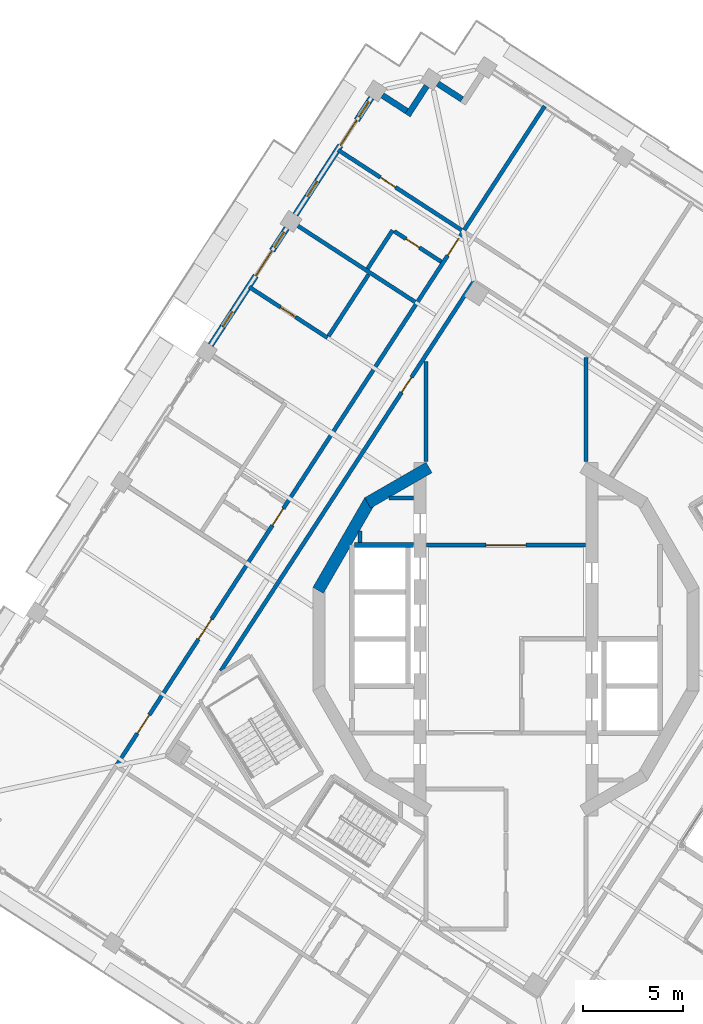
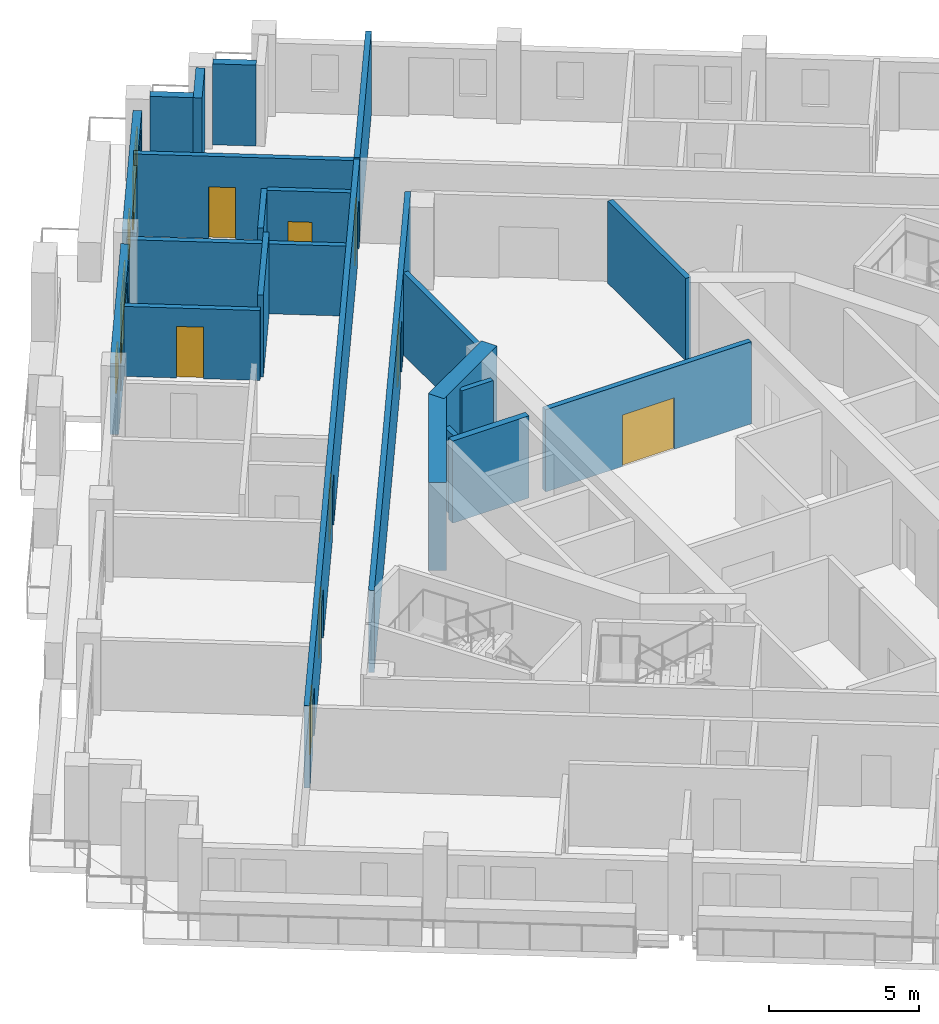
# One storey, part 9 of 17: 22 walls, 11 doors, 4 windows, 15 openings.
"""IFC4 building model written with IfcOpenShell, lengths in metres."""

from ifc_helpers import new_model, si_unit, direction, frame, frame_2d, origin, place, context, subcontext, project, spatial, rectangle, extrude, material, layer, layer_set, type_object, element, fill, save


model = new_model("IFC4")

# Units and contexts
model_context = context("Model", 3, precision=1e-05, world=origin(), true_north=direction((0.0, 1.0)))
body_context = subcontext(model_context, "Body", "Model", "MODEL_VIEW")
ifc_project = project(units=[si_unit("LENGTHUNIT", "METRE"), si_unit("AREAUNIT", "SQUARE_METRE"), si_unit("VOLUMEUNIT", "CUBIC_METRE"), si_unit("PLANEANGLEUNIT", "RADIAN"), si_unit("MASSUNIT", "GRAM", prefix="KILO")], contexts=[model_context])

# Site, building, storey
site_placement = place(None, origin())
site = spatial("IfcSite", under=ifc_project, at=site_placement, CompositionType="ELEMENT")
building_placement = place(site_placement, origin())
building = spatial("IfcBuilding", under=site, at=building_placement, Name="Cantera Rosa Tower", CompositionType="ELEMENT")
storey_placement = place(building_placement, frame((0.0, 0.0, 264.89990234375)))
storey = spatial("IfcBuildingStorey", under=building, at=storey_placement, Name="L59", CompositionType="ELEMENT", Elevation=264.89990234375)

# Wall
ifc_material_1 = material(Name="Gypsum board partition")
ifc_layer_1 = layer(ifc_material_1, 0.199951171875)
ifc_layer_set_1 = layer_set([ifc_layer_1], Name="CORRIDOR WALL 200 H3350")
wall_type_1 = type_object("IfcWallType", Name="CORRIDOR WALL 200 H3350", PredefinedType="PARTITIONING", material=ifc_layer_set_1)
wall_1_placement = place(storey_placement, frame((-4.0, 13.90087890625, 0.0), z_axis=(0.0, 0.0, 1.0), x_axis=(0.0, -1.0, 0.0)))
element("IfcWall", 1, at=wall_1_placement, inside=storey, type_object=wall_type_1, Name="CORRIDOR WALL L59-047", PredefinedType="PARTITIONING", context=body_context, shape_type="SweptSolid", body=[
    extrude(rectangle(XDim=5.02197265625, YDim=0.199951171875, at=frame_2d((2.510986328125, 0.0))), origin(), (0.0, 0.0, 1.0), 3.35009765625),
])

# Wall, opening, door
wall_2_placement = place(storey_placement, frame((-3.969970703125, 4.699951171875, 0.0), z_axis=(0.0, 0.0, 1.0), x_axis=(1.0, 0.0, 0.0)))
wall_2 = element("IfcWall", 2, at=wall_2_placement, inside=storey, type_object=wall_type_1, Name="CORRIDOR WALL L59-048", PredefinedType="PARTITIONING", context=body_context, shape_type="SweptSolid", body=[
    extrude(rectangle(XDim=7.93994140625, YDim=0.199951171875, at=frame_2d((3.969970703125, 0.0))), origin(), (0.0, 0.0, 1.0), 3.35009765625),
])
opening_1_placement = place(wall_2_placement, frame((2.969970703125, 0.0, 0.0)))
opening_1 = element("IfcOpeningElement", 3, at=opening_1_placement, cuts=wall_2, Name="Opening L59-009", PredefinedType="OPENING", context=body_context, shape_type="SweptSolid", body=[
    extrude(rectangle(XDim=2.0, YDim=2.10009765625, at=frame_2d((1.0, 1.050048828125))), frame((0.0, 0.10986328125, 0.0), z_axis=(0.0, -1.0, 0.0), x_axis=(1.0, 0.0, 0.0)), (0.0, 0.0, 1.0), 0.219970703125),
])
ifc_material_2 = material(Name="Steel S355J2 (EN 10025-2)", Category="steel")
door_type_1 = type_object("IfcDoorType", Name="LOBBY SCREEN DOOR 2000x2100", OperationType="NOTDEFINED", PredefinedType="DOOR", material=ifc_material_2)
door_1_placement = place(opening_1_placement, origin())
door_1 = element("IfcDoor", 4, at=door_1_placement, inside=storey, type_object=door_type_1, Name="DOOR L59-009", OperationType="NOTDEFINED", OverallHeight=2.10009765625, OverallWidth=2.0, PredefinedType="DOOR", context=body_context, shape_type="SweptSolid", body=[
    extrude(rectangle(XDim=2.0, YDim=2.10009765625, at=frame_2d((1.0, 1.050048828125))), frame((0.0, 0.02490234375, 0.0), z_axis=(0.0, -1.0, 0.0), x_axis=(1.0, 0.0, 0.0)), (0.0, 0.0, 1.0), 0.050048828125),
])
fill(opening_1, door_1)

# Wall, openings, doors
wall_3_placement = place(storey_placement, frame((-2.1318359375, 20.402587890625, 0.0), z_axis=(0.0, 0.0, 1.0), x_axis=(-0.544643219415, -0.838667850549, 0.0)))
wall_3 = element("IfcWall", 5, at=wall_3_placement, inside=storey, type_object=wall_type_1, Name="CORRIDOR WALL L59-050", PredefinedType="PARTITIONING", context=body_context, shape_type="SweptSolid", body=[
    extrude(rectangle(XDim=31.880126953125, YDim=0.199951171875, at=frame_2d((15.93994140625, 0.0))), origin(), (0.0, 0.0, 1.0), 3.35009765625),
])
opening_2_placement = place(wall_3_placement, frame((16.5400390625, 0.0, 0.0)))
opening_2 = element("IfcOpeningElement", 6, at=opening_2_placement, cuts=wall_3, Name="Opening L59-025", PredefinedType="OPENING", context=body_context, shape_type="SweptSolid", body=[
    extrude(rectangle(XDim=1.0, YDim=2.10009765625, at=frame_2d((0.5, 1.050048828125))), frame((0.0, 0.10986328125, 0.0), z_axis=(0.0, -1.0, 0.0), x_axis=(1.0, 0.0, 0.0)), (0.0, 0.0, 1.0), 0.219970703125),
])
opening_3_placement = place(wall_3_placement, frame((23.1298828125, 0.0, 0.0)))
opening_3 = element("IfcOpeningElement", 7, at=opening_3_placement, cuts=wall_3, Name="Opening L59-031", PredefinedType="OPENING", context=body_context, shape_type="SweptSolid", body=[
    extrude(rectangle(XDim=1.199951171875, YDim=2.10009765625, at=frame_2d((0.60009765625, 1.050048828125))), frame((0.0, 0.10986328125, 0.0), z_axis=(0.0, -1.0, 0.0), x_axis=(1.0, 0.0, 0.0)), (0.0, 0.0, 1.0), 0.219970703125),
])
opening_4_placement = place(wall_3_placement, frame((0.43994140625, 0.0, 0.0)))
opening_4 = element("IfcOpeningElement", 8, at=opening_4_placement, cuts=wall_3, Name="Opening L59-032", PredefinedType="OPENING", context=body_context, shape_type="SweptSolid", body=[
    extrude(rectangle(XDim=1.0, YDim=2.10009765625, at=frame_2d((0.5, 1.050048828125))), frame((0.0, 0.10986328125, 0.0), z_axis=(0.0, -1.0, 0.0), x_axis=(1.0, 0.0, 0.0)), (0.0, 0.0, 1.0), 0.219970703125),
])
opening_5_placement = place(wall_3_placement, frame((28.85009765625, 0.0, 0.0)))
opening_5 = element("IfcOpeningElement", 9, at=opening_5_placement, cuts=wall_3, Name="Opening L59-035", PredefinedType="OPENING", context=body_context, shape_type="SweptSolid", body=[
    extrude(rectangle(XDim=1.10009765625, YDim=2.10009765625, at=frame_2d((0.550048828125, 1.050048828125))), frame((0.0, 0.10986328125, 0.0), z_axis=(0.0, -1.0, 0.0), x_axis=(1.0, 0.0, 0.0)), (0.0, 0.0, 1.0), 0.219970703125),
])
ifc_material_3 = material(Name="Timber door leaf", Category="wood")
door_type_2 = type_object("IfcDoorType", Name="ENTRANCE DOOR 1000x2100", OperationType="NOTDEFINED", PredefinedType="DOOR", material=ifc_material_3)
door_2_placement = place(opening_2_placement, origin())
door_2 = element("IfcDoor", 10, at=door_2_placement, inside=storey, type_object=door_type_2, Name="DOOR L59-025", OperationType="NOTDEFINED", OverallHeight=2.10009765625, OverallWidth=1.0, PredefinedType="DOOR", context=body_context, shape_type="SweptSolid", body=[
    extrude(rectangle(XDim=1.0, YDim=2.10009765625, at=frame_2d((0.5, 1.050048828125))), frame((0.0, 0.02490234375, 0.0), z_axis=(0.0, -1.0, 0.0), x_axis=(1.0, 0.0, 0.0)), (0.0, 0.0, 1.0), 0.050048828125),
])
fill(opening_2, door_2)
door_3_placement = place(opening_4_placement, origin())
door_3 = element("IfcDoor", 11, at=door_3_placement, inside=storey, type_object=door_type_2, Name="DOOR L59-032", OperationType="NOTDEFINED", OverallHeight=2.10009765625, OverallWidth=1.0, PredefinedType="DOOR", context=body_context, shape_type="SweptSolid", body=[
    extrude(rectangle(XDim=1.0, YDim=2.10009765625, at=frame_2d((0.5, 1.050048828125))), frame((0.0, 0.02490234375, 0.0), z_axis=(0.0, -1.0, 0.0), x_axis=(1.0, 0.0, 0.0)), (0.0, 0.0, 1.0), 0.050048828125),
])
fill(opening_4, door_3)
ifc_material_4 = material(Name="Timber door leaf", Category="wood")
door_type_3 = type_object("IfcDoorType", Name="ROOM DOOR 1100x2100", OperationType="NOTDEFINED", PredefinedType="DOOR", material=ifc_material_4)
door_4_placement = place(opening_5_placement, origin())
door_4 = element("IfcDoor", 12, at=door_4_placement, inside=storey, type_object=door_type_3, Name="DOOR L59-035", OperationType="NOTDEFINED", OverallHeight=2.10009765625, OverallWidth=1.10009765625, PredefinedType="DOOR", context=body_context, shape_type="SweptSolid", body=[
    extrude(rectangle(XDim=1.10009765625, YDim=2.10009765625, at=frame_2d((0.550048828125, 1.050048828125))), frame((0.0, 0.02490234375, 0.0), z_axis=(0.0, -1.0, 0.0), x_axis=(1.0, 0.0, 0.0)), (0.0, 0.0, 1.0), 0.050048828125),
])
fill(opening_5, door_4)
ifc_material_5 = material(Name="Timber door leaf", Category="wood")
door_type_4 = type_object("IfcDoorType", Name="ROOM DOOR 1200x2100", OperationType="NOTDEFINED", PredefinedType="DOOR", material=ifc_material_5)
door_5_placement = place(opening_3_placement, origin())
door_5 = element("IfcDoor", 13, at=door_5_placement, inside=storey, type_object=door_type_4, Name="DOOR L59-031", OperationType="NOTDEFINED", OverallHeight=2.10009765625, OverallWidth=1.199951171875, PredefinedType="DOOR", context=body_context, shape_type="SweptSolid", body=[
    extrude(rectangle(XDim=1.199951171875, YDim=2.10009765625, at=frame_2d((0.60009765625, 1.050048828125))), frame((0.0, 0.02490234375, 0.0), z_axis=(0.0, -1.0, 0.0), x_axis=(1.0, 0.0, 0.0)), (0.0, 0.0, 1.0), 0.050048828125),
])
fill(opening_3, door_5)

# Wall, opening, door
wall_4_placement = place(storey_placement, frame((-1.6025390625, 17.91259765625, 0.0), z_axis=(0.0, 0.0, 1.0), x_axis=(-0.544642173362, -0.838668529871, 0.0)))
wall_4 = element("IfcWall", 14, at=wall_4_placement, inside=storey, type_object=wall_type_1, Name="CORRIDOR WALL L59-055", PredefinedType="PARTITIONING", context=body_context, shape_type="SweptSolid", body=[
    extrude(rectangle(XDim=23.255126953125, YDim=0.199951171875, at=frame_2d((11.62744140625, 0.0))), origin(), (0.0, 0.0, 1.0), 3.35009765625),
])
opening_6_placement = place(wall_4_placement, frame((5.744140625, 0.0, 0.0)))
opening_6 = element("IfcOpeningElement", 15, at=opening_6_placement, cuts=wall_4, Name="Opening L59-005", PredefinedType="OPENING", context=body_context, shape_type="SweptSolid", body=[
    extrude(rectangle(XDim=0.89990234375, YDim=2.10009765625, at=frame_2d((0.449951171875, 1.050048828125))), frame((0.0, 0.10986328125, 0.0), z_axis=(0.0, -1.0, 0.0), x_axis=(1.0, 0.0, 0.0)), (0.0, 0.0, 1.0), 0.219970703125),
])
ifc_material_6 = material(Name="Timber door leaf", Category="wood")
door_type_5 = type_object("IfcDoorType", Name="SERVICE DOOR 900x2100", OperationType="NOTDEFINED", PredefinedType="DOOR", material=ifc_material_6)
door_6_placement = place(opening_6_placement, origin())
door_6 = element("IfcDoor", 16, at=door_6_placement, inside=storey, type_object=door_type_5, Name="DOOR L59-005", OperationType="NOTDEFINED", OverallHeight=2.10009765625, OverallWidth=0.89990234375, PredefinedType="DOOR", context=body_context, shape_type="SweptSolid", body=[
    extrude(rectangle(XDim=0.89990234375, YDim=2.10009765625, at=frame_2d((0.449951171875, 1.050048828125))), frame((0.0, 0.02490234375, 0.0), z_axis=(0.0, -1.0, 0.0), x_axis=(1.0, 0.0, 0.0)), (0.0, 0.0, 1.0), 0.050048828125),
])
fill(opening_6, door_6)

# Walls
wall_5_placement = place(storey_placement, frame((4.0, 8.87890625, 0.0), z_axis=(0.0, 0.0, 1.0), x_axis=(0.0, 1.0, 0.0)))
element("IfcWall", 17, at=wall_5_placement, inside=storey, type_object=wall_type_1, Name="CORRIDOR WALL L59-070", PredefinedType="PARTITIONING", context=body_context, shape_type="SweptSolid", body=[
    extrude(rectangle(XDim=5.21533203125, YDim=0.199951171875, at=frame_2d((2.607666015625, 0.0))), origin(), (0.0, 0.0, 1.0), 3.35009765625),
])
ifc_material_7 = material(Name="Hollow clay masonry with cantera stone cladding", Category="masonry")
ifc_layer_2 = layer(ifc_material_7, 0.300048828125)
ifc_layer_set_2 = layer_set([ifc_layer_2], Name="EW-LOGGIA 300")
wall_type_2 = type_object("IfcWallType", Name="EW-LOGGIA 300", PredefinedType="SOLIDWALL", material=ifc_layer_set_2)
wall_6_placement = place(storey_placement, frame((-2.197509765625, 27.003173828125, 0.0), z_axis=(0.0, 0.0, 1.0), x_axis=(-0.838647435384, 0.54467465438, 0.0)))
element("IfcWall", 18, at=wall_6_placement, inside=storey, type_object=wall_type_2, Name="EN-L59-W05b", PredefinedType="SOLIDWALL", context=body_context, shape_type="SweptSolid", body=[
    extrude(rectangle(XDim=1.449951171875, YDim=0.300048828125, at=frame_2d((0.72509765625, 0.0))), origin(), (0.0, 0.0, 1.0), 3.300048828125),
])
wall_7_placement = place(storey_placement, frame((-3.966796875, 27.67529296875, 0.0), z_axis=(0.0, 0.0, 1.0), x_axis=(-0.544679362749, -0.83864437743, 0.0)))
element("IfcWall", 19, at=wall_7_placement, inside=storey, type_object=wall_type_2, Name="EN-L59-W06a", PredefinedType="SOLIDWALL", context=body_context, shape_type="SweptSolid", body=[
    extrude(rectangle(XDim=1.75, YDim=0.300048828125, at=frame_2d((0.875, 0.0))), origin(), (0.0, 0.0, 1.0), 3.300048828125),
])
wall_8_placement = place(storey_placement, frame((-4.964111328125, 26.415283203125, 0.0), z_axis=(0.0, 0.0, 1.0), x_axis=(-0.838724343483, 0.544556218997, 0.0)))
element("IfcWall", 20, at=wall_8_placement, inside=storey, type_object=wall_type_2, Name="EN-L59-W06b", PredefinedType="SOLIDWALL", context=body_context, shape_type="SweptSolid", body=[
    extrude(rectangle(XDim=1.449951171875, YDim=0.300048828125, at=frame_2d((0.72509765625, 0.0))), origin(), (0.0, 0.0, 1.0), 3.300048828125),
])

# Wall, openings, windows, door
ifc_material_8 = material(Name="Hollow clay masonry with cantera stone cladding", Category="masonry")
ifc_layer_3 = layer(ifc_material_8, 0.300048828125)
ifc_layer_set_3 = layer_set([ifc_layer_3], Name="EW-LOGGIA 300 H2890")
wall_type_3 = type_object("IfcWallType", Name="EW-LOGGIA 300 H2890", PredefinedType="SOLIDWALL", material=ifc_layer_set_3)
wall_9_placement = place(storey_placement, frame((-6.7333984375, 27.08740234375, 0.0), z_axis=(0.0, 0.0, 1.0), x_axis=(-0.544651451949, -0.838662504164, 0.0)))
wall_9 = element("IfcWall", 21, at=wall_9_placement, inside=storey, type_object=wall_type_3, Name="EN-L59-W07", PredefinedType="SOLIDWALL", context=body_context, shape_type="SweptSolid", body=[
    extrude(rectangle(XDim=6.980224609375, YDim=0.300048828125, at=frame_2d((3.490234375, 0.0))), origin(), (0.0, 0.0, 1.0), 2.89013671875),
])
opening_7_placement = place(wall_9_placement, frame((0.2451171875, 0.0, 0.89990234375)))
opening_7 = element("IfcOpeningElement", 22, at=opening_7_placement, cuts=wall_9, Name="Opening L59-W13", PredefinedType="OPENING", context=body_context, shape_type="SweptSolid", body=[
    extrude(rectangle(XDim=0.89990234375, YDim=1.5, at=frame_2d((0.449951171875, 0.75))), frame((0.0, 0.159912109375, 0.0), z_axis=(0.0, -1.0, 0.0), x_axis=(1.0, 0.0, 0.0)), (0.0, 0.0, 1.0), 0.320068359375),
])
opening_8_placement = place(wall_9_placement, frame((1.344970703125, 0.0, 0.0)))
opening_8 = element("IfcOpeningElement", 23, at=opening_8_placement, cuts=wall_9, Name="Opening L59-TD14", PredefinedType="OPENING", context=body_context, shape_type="SweptSolid", body=[
    extrude(rectangle(XDim=1.5, YDim=2.39990234375, at=frame_2d((0.75, 1.199951171875))), frame((0.0, 0.159912109375, 0.0), z_axis=(0.0, -1.0, 0.0), x_axis=(1.0, 0.0, 0.0)), (0.0, 0.0, 1.0), 0.320068359375),
])
opening_9_placement = place(wall_9_placement, frame((4.985107421875, 0.0, 0.89990234375)))
opening_9 = element("IfcOpeningElement", 24, at=opening_9_placement, cuts=wall_9, Name="Opening L59-W15", PredefinedType="OPENING", context=body_context, shape_type="SweptSolid", body=[
    extrude(rectangle(XDim=0.89990234375, YDim=1.5, at=frame_2d((0.449951171875, 0.75))), frame((0.0, 0.159912109375, 0.0), z_axis=(0.0, -1.0, 0.0), x_axis=(1.0, 0.0, 0.0)), (0.0, 0.0, 1.0), 0.320068359375),
])
ifc_material_9 = material(Name="Aluminium frame with clear glass", Category="aluminium")
window_type = type_object("IfcWindowType", Name="Residential window 900x1500", PartitioningType="SINGLE_PANEL", PredefinedType="WINDOW", material=ifc_material_9)
window_1_placement = place(opening_7_placement, origin())
window_1 = element("IfcWindow", 25, at=window_1_placement, inside=storey, type_object=window_type, Name="WINDOW L59-W13", OverallHeight=1.5, OverallWidth=0.89990234375, PartitioningType="SINGLE_PANEL", PredefinedType="WINDOW", context=body_context, shape_type="SweptSolid", body=[
    extrude(rectangle(XDim=0.89990234375, YDim=1.5, at=frame_2d((0.449951171875, 0.75))), frame((0.0, 0.030029296875, 0.0), z_axis=(0.0, -1.0, 0.0), x_axis=(1.0, 0.0, 0.0)), (0.0, 0.0, 1.0), 0.06005859375),
])
fill(opening_7, window_1)
window_2_placement = place(opening_9_placement, origin())
window_2 = element("IfcWindow", 26, at=window_2_placement, inside=storey, type_object=window_type, Name="WINDOW L59-W15", OverallHeight=1.5, OverallWidth=0.89990234375, PartitioningType="SINGLE_PANEL", PredefinedType="WINDOW", context=body_context, shape_type="SweptSolid", body=[
    extrude(rectangle(XDim=0.89990234375, YDim=1.5, at=frame_2d((0.449951171875, 0.75))), frame((0.0, 0.030029296875, 0.0), z_axis=(0.0, -1.0, 0.0), x_axis=(1.0, 0.0, 0.0)), (0.0, 0.0, 1.0), 0.06005859375),
])
fill(opening_9, window_2)
ifc_material_10 = material(Name="Aluminium frame with clear glass", Category="aluminium")
door_type_6 = type_object("IfcDoorType", Name="TD-R 1500x2400", OperationType="NOTDEFINED", PredefinedType="DOOR", material=ifc_material_10)
door_7_placement = place(opening_8_placement, origin())
door_7 = element("IfcDoor", 27, at=door_7_placement, inside=storey, type_object=door_type_6, Name="LOGGIA DOOR L59-TD14", OperationType="SLIDING_TO_LEFT", OverallHeight=2.39990234375, OverallWidth=1.5, PredefinedType="DOOR", context=body_context, shape_type="SweptSolid", body=[
    extrude(rectangle(XDim=1.5, YDim=2.39990234375, at=frame_2d((0.75, 1.199951171875))), frame((0.0, 0.02490234375, 0.0), z_axis=(0.0, -1.0, 0.0), x_axis=(1.0, 0.0, 0.0)), (0.0, 0.0, 1.0), 0.050048828125),
])
fill(opening_8, door_7)

wall_10_placement = place(storey_placement, frame((-10.970703125, 20.5625, 0.0), z_axis=(0.0, 0.0, 1.0), x_axis=(-0.544651451949, -0.838662504164, 0.0)))
wall_10 = element("IfcWall", 28, at=wall_10_placement, inside=storey, type_object=wall_type_3, Name="EN-L59-W08", PredefinedType="SOLIDWALL", context=body_context, shape_type="SweptSolid", body=[
    extrude(rectangle(XDim=6.980224609375, YDim=0.300048828125, at=frame_2d((3.490234375, 0.0))), origin(), (0.0, 0.0, 1.0), 2.89013671875),
])
opening_10_placement = place(wall_10_placement, frame((0.2451171875, 0.0, 0.89990234375)))
opening_10 = element("IfcOpeningElement", 29, at=opening_10_placement, cuts=wall_10, Name="Opening L59-W16", PredefinedType="OPENING", context=body_context, shape_type="SweptSolid", body=[
    extrude(rectangle(XDim=0.89990234375, YDim=1.5, at=frame_2d((0.449951171875, 0.75))), frame((0.0, 0.159912109375, 0.0), z_axis=(0.0, -1.0, 0.0), x_axis=(1.0, 0.0, 0.0)), (0.0, 0.0, 1.0), 0.320068359375),
])
opening_11_placement = place(wall_10_placement, frame((1.344970703125, 0.0, 0.0)))
opening_11 = element("IfcOpeningElement", 30, at=opening_11_placement, cuts=wall_10, Name="Opening L59-TD17", PredefinedType="OPENING", context=body_context, shape_type="SweptSolid", body=[
    extrude(rectangle(XDim=1.5, YDim=2.39990234375, at=frame_2d((0.75, 1.199951171875))), frame((0.0, 0.159912109375, 0.0), z_axis=(0.0, -1.0, 0.0), x_axis=(1.0, 0.0, 0.0)), (0.0, 0.0, 1.0), 0.320068359375),
])
opening_12_placement = place(wall_10_placement, frame((4.985107421875, 0.0, 0.89990234375)))
opening_12 = element("IfcOpeningElement", 31, at=opening_12_placement, cuts=wall_10, Name="Opening L59-W18", PredefinedType="OPENING", context=body_context, shape_type="SweptSolid", body=[
    extrude(rectangle(XDim=0.89990234375, YDim=1.5, at=frame_2d((0.449951171875, 0.75))), frame((0.0, 0.159912109375, 0.0), z_axis=(0.0, -1.0, 0.0), x_axis=(1.0, 0.0, 0.0)), (0.0, 0.0, 1.0), 0.320068359375),
])
window_3_placement = place(opening_10_placement, origin())
window_3 = element("IfcWindow", 32, at=window_3_placement, inside=storey, type_object=window_type, Name="WINDOW L59-W16", OverallHeight=1.5, OverallWidth=0.89990234375, PartitioningType="SINGLE_PANEL", PredefinedType="WINDOW", context=body_context, shape_type="SweptSolid", body=[
    extrude(rectangle(XDim=0.89990234375, YDim=1.5, at=frame_2d((0.449951171875, 0.75))), frame((0.0, 0.030029296875, 0.0), z_axis=(0.0, -1.0, 0.0), x_axis=(1.0, 0.0, 0.0)), (0.0, 0.0, 1.0), 0.06005859375),
])
fill(opening_10, window_3)
window_4_placement = place(opening_12_placement, origin())
window_4 = element("IfcWindow", 33, at=window_4_placement, inside=storey, type_object=window_type, Name="WINDOW L59-W18", OverallHeight=1.5, OverallWidth=0.89990234375, PartitioningType="SINGLE_PANEL", PredefinedType="WINDOW", context=body_context, shape_type="SweptSolid", body=[
    extrude(rectangle(XDim=0.89990234375, YDim=1.5, at=frame_2d((0.449951171875, 0.75))), frame((0.0, 0.030029296875, 0.0), z_axis=(0.0, -1.0, 0.0), x_axis=(1.0, 0.0, 0.0)), (0.0, 0.0, 1.0), 0.06005859375),
])
fill(opening_12, window_4)
door_8_placement = place(opening_11_placement, origin())
door_8 = element("IfcDoor", 34, at=door_8_placement, inside=storey, type_object=door_type_6, Name="LOGGIA DOOR L59-TD17", OperationType="SLIDING_TO_LEFT", OverallHeight=2.39990234375, OverallWidth=1.5, PredefinedType="DOOR", context=body_context, shape_type="SweptSolid", body=[
    extrude(rectangle(XDim=1.5, YDim=2.39990234375, at=frame_2d((0.75, 1.199951171875))), frame((0.0, 0.02490234375, 0.0), z_axis=(0.0, -1.0, 0.0), x_axis=(1.0, 0.0, 0.0)), (0.0, 0.0, 1.0), 0.050048828125),
])
fill(opening_11, door_8)

# Wall, opening, door
ifc_material_11 = material(Name="Gypsum board partition")
ifc_layer_4 = layer(ifc_material_11, 0.199951171875)
ifc_layer_set_4 = layer_set([ifc_layer_4], Name="PARTITION 200 H2850")
wall_type_4 = type_object("IfcWallType", Name="PARTITION 200 H2850", PredefinedType="PARTITIONING", material=ifc_layer_set_4)
wall_11_placement = place(storey_placement, frame((-12.846435546875, 17.619140625, 0.0), z_axis=(0.0, 0.0, 1.0), x_axis=(0.838681218127, -0.544622634822, 0.0)))
wall_11 = element("IfcWall", 35, at=wall_11_placement, inside=storey, type_object=wall_type_4, Name="PARTITION L59-018", PredefinedType="PARTITIONING", context=body_context, shape_type="SweptSolid", body=[
    extrude(rectangle(XDim=4.670166015625, YDim=0.199951171875, at=frame_2d((2.3349609375, 0.0))), origin(), (0.0, 0.0, 1.0), 2.85009765625),
])
opening_13_placement = place(wall_11_placement, frame((1.8701171875, 0.0, 0.0)))
opening_13 = element("IfcOpeningElement", 36, at=opening_13_placement, cuts=wall_11, Name="Opening L59-030", PredefinedType="OPENING", context=body_context, shape_type="SweptSolid", body=[
    extrude(rectangle(XDim=0.89990234375, YDim=2.10009765625, at=frame_2d((0.449951171875, 1.050048828125))), frame((0.0, 0.10986328125, 0.0), z_axis=(0.0, -1.0, 0.0), x_axis=(1.0, 0.0, 0.0)), (0.0, 0.0, 1.0), 0.219970703125),
])
ifc_material_12 = material(Name="Timber door leaf", Category="wood")
door_type_7 = type_object("IfcDoorType", Name="ROOM DOOR 900x2100", OperationType="NOTDEFINED", PredefinedType="DOOR", material=ifc_material_12)
door_9_placement = place(opening_13_placement, origin())
door_9 = element("IfcDoor", 37, at=door_9_placement, inside=storey, type_object=door_type_7, Name="DOOR L59-030", OperationType="NOTDEFINED", OverallHeight=2.10009765625, OverallWidth=0.89990234375, PredefinedType="DOOR", context=body_context, shape_type="SweptSolid", body=[
    extrude(rectangle(XDim=0.89990234375, YDim=2.10009765625, at=frame_2d((0.449951171875, 1.050048828125))), frame((0.0, 0.02490234375, 0.0), z_axis=(0.0, -1.0, 0.0), x_axis=(1.0, 0.0, 0.0)), (0.0, 0.0, 1.0), 0.050048828125),
])
fill(opening_13, door_9)

# Walls
ifc_material_13 = material(Name="Gypsum board partition")
ifc_layer_5 = layer(ifc_material_13, 0.199951171875)
ifc_layer_set_5 = layer_set([ifc_layer_5], Name="PARTITION 200 H3350")
wall_type_5 = type_object("IfcWallType", Name="PARTITION 200 H3350", PredefinedType="PARTITIONING", material=ifc_layer_set_5)
wall_12_placement = place(storey_placement, frame((-8.87548828125, 15.15966796875, 0.0), z_axis=(0.0, 0.0, 1.0), x_axis=(0.544682009132, 0.838642658662, 0.0)))
element("IfcWall", 38, at=wall_12_placement, inside=storey, type_object=wall_type_5, Name="PARTITION L59-026", PredefinedType="PARTITIONING", context=body_context, shape_type="SweptSolid", body=[
    extrude(rectangle(XDim=3.670166015625, YDim=0.199951171875, at=frame_2d((1.8349609375, 0.0))), origin(), (0.0, 0.0, 1.0), 3.35009765625),
])
wall_13_placement = place(storey_placement, frame((-7.300048828125, 4.824951171875, 0.0), z_axis=(0.0, 0.0, 1.0), x_axis=(0.0, 1.0, 0.0)))
element("IfcWall", 39, at=wall_13_placement, inside=storey, type_object=wall_type_5, Name="PARTITION L59-035", PredefinedType="PARTITIONING", context=body_context, shape_type="SweptSolid", body=[
    extrude(rectangle(XDim=0.589599609375, YDim=0.199951171875, at=frame_2d((0.294921875, 0.0))), origin(), (0.0, 0.0, 1.0), 3.35009765625),
])
wall_14_placement = place(storey_placement, frame((-6.924560546875, 18.531005859375, 0.0), z_axis=(0.0, 0.0, 1.0), x_axis=(0.544641320086, 0.838669083999, 0.0)))
element("IfcWall", 40, at=wall_14_placement, inside=storey, type_object=wall_type_5, Name="PARTITION L59-036", PredefinedType="PARTITIONING", context=body_context, shape_type="SweptSolid", body=[
    extrude(rectangle(XDim=2.300048828125, YDim=0.199951171875, at=frame_2d((1.14990234375, 0.0))), origin(), (0.0, 0.0, 1.0), 3.35009765625),
])
wall_15_placement = place(storey_placement, frame((-5.84765625, 7.050048828125, 0.0), z_axis=(0.0, 0.0, 1.0), x_axis=(1.0, 0.0, 0.0)))
element("IfcWall", 41, at=wall_15_placement, inside=storey, type_object=wall_type_5, Name="PARTITION L59-039", PredefinedType="PARTITIONING", context=body_context, shape_type="SweptSolid", body=[
    extrude(rectangle(XDim=1.2177734375, YDim=0.199951171875, at=frame_2d((0.60888671875, 0.0))), origin(), (0.0, 0.0, 1.0), 3.35009765625),
])

# Wall, opening, door
wall_16_placement = place(storey_placement, frame((-5.587890625, 20.405517578125, 0.0), z_axis=(0.0, 0.0, 1.0), x_axis=(0.838656694237, -0.544660398056, 0.0)))
wall_16 = element("IfcWall", 42, at=wall_16_placement, inside=storey, type_object=wall_type_5, Name="PARTITION L59-040", PredefinedType="PARTITIONING", context=body_context, shape_type="SweptSolid", body=[
    extrude(rectangle(XDim=2.80029296875, YDim=0.199951171875, at=frame_2d((1.400146484375, 0.0))), origin(), (0.0, 0.0, 1.0), 3.35009765625),
])
opening_14_placement = place(wall_16_placement, frame((0.699951171875, 0.0, 0.0)))
opening_14 = element("IfcOpeningElement", 43, at=opening_14_placement, cuts=wall_16, Name="Opening L59-033", PredefinedType="OPENING", context=body_context, shape_type="SweptSolid", body=[
    extrude(rectangle(XDim=0.800048828125, YDim=2.10009765625, at=frame_2d((0.39990234375, 1.050048828125))), frame((0.0, 0.10986328125, 0.0), z_axis=(0.0, -1.0, 0.0), x_axis=(1.0, 0.0, 0.0)), (0.0, 0.0, 1.0), 0.219970703125),
])
ifc_material_14 = material(Name="Timber door leaf", Category="wood")
door_type_8 = type_object("IfcDoorType", Name="BATHROOM DOOR 800x2100", OperationType="NOTDEFINED", PredefinedType="DOOR", material=ifc_material_14)
door_10_placement = place(opening_14_placement, origin())
door_10 = element("IfcDoor", 44, at=door_10_placement, inside=storey, type_object=door_type_8, Name="DOOR L59-033", OperationType="NOTDEFINED", OverallHeight=2.10009765625, OverallWidth=0.800048828125, PredefinedType="DOOR", context=body_context, shape_type="SweptSolid", body=[
    extrude(rectangle(XDim=0.800048828125, YDim=2.10009765625, at=frame_2d((0.39990234375, 1.050048828125))), frame((0.0, 0.02490234375, 0.0), z_axis=(0.0, -1.0, 0.0), x_axis=(1.0, 0.0, 0.0)), (0.0, 0.0, 1.0), 0.050048828125),
])
fill(opening_14, door_10)

wall_17_placement = place(storey_placement, frame((-2.2158203125, 20.45703125, 0.0), z_axis=(0.0, 0.0, 1.0), x_axis=(-0.838656223885, 0.544661122294, 0.0)))
wall_17 = element("IfcWall", 45, at=wall_17_placement, inside=storey, type_object=wall_type_5, Name="PARTITION L59-051", PredefinedType="PARTITIONING", context=body_context, shape_type="SweptSolid", body=[
    extrude(rectangle(XDim=7.3701171875, YDim=0.199951171875, at=frame_2d((3.68505859375, 0.0))), origin(), (0.0, 0.0, 1.0), 3.35009765625),
])
opening_15_placement = place(wall_17_placement, frame((3.949951171875, 0.0, 0.0)))
opening_15 = element("IfcOpeningElement", 46, at=opening_15_placement, cuts=wall_17, Name="Opening L59-034", PredefinedType="OPENING", context=body_context, shape_type="SweptSolid", body=[
    extrude(rectangle(XDim=0.89990234375, YDim=2.10009765625, at=frame_2d((0.449951171875, 1.050048828125))), frame((0.0, 0.10986328125, 0.0), z_axis=(0.0, -1.0, 0.0), x_axis=(1.0, 0.0, 0.0)), (0.0, 0.0, 1.0), 0.219970703125),
])
door_11_placement = place(opening_15_placement, origin())
door_11 = element("IfcDoor", 47, at=door_11_placement, inside=storey, type_object=door_type_7, Name="DOOR L59-034", OperationType="NOTDEFINED", OverallHeight=2.10009765625, OverallWidth=0.89990234375, PredefinedType="DOOR", context=body_context, shape_type="SweptSolid", body=[
    extrude(rectangle(XDim=0.89990234375, YDim=2.10009765625, at=frame_2d((0.449951171875, 1.050048828125))), frame((0.0, 0.02490234375, 0.0), z_axis=(0.0, -1.0, 0.0), x_axis=(1.0, 0.0, 0.0)), (0.0, 0.0, 1.0), 0.050048828125),
])
fill(opening_15, door_11)

# Walls
ifc_material_15 = material(Name="Gypsum board partition")
ifc_layer_6 = layer(ifc_material_15, 0.199951171875)
ifc_layer_set_6 = layer_set([ifc_layer_6], Name="PARTY WALL 200 H2850")
wall_type_6 = type_object("IfcWallType", Name="PARTY WALL 200 H2850", PredefinedType="PARTITIONING", material=ifc_layer_set_6)
wall_18_placement = place(storey_placement, frame((-10.727783203125, 20.881591796875, 0.0), z_axis=(0.0, 0.0, 1.0), x_axis=(0.838671355338, -0.544637822535, 0.0)))
element("IfcWall", 48, at=wall_18_placement, inside=storey, type_object=wall_type_6, Name="PARTY WALL L59-022", PredefinedType="PARTITIONING", context=body_context, shape_type="SweptSolid", body=[
    extrude(rectangle(XDim=7.369873046875, YDim=0.199951171875, at=frame_2d((3.68505859375, 0.0))), origin(), (0.0, 0.0, 1.0), 2.85009765625),
])
ifc_material_16 = material(Name="Gypsum board partition")
ifc_layer_7 = layer(ifc_material_16, 0.199951171875)
ifc_layer_set_7 = layer_set([ifc_layer_7], Name="PARTY WALL 200 H3350")
wall_type_7 = type_object("IfcWallType", Name="PARTY WALL 200 H3350", PredefinedType="PARTITIONING", material=ifc_layer_set_7)
wall_19_placement = place(storey_placement, frame((-2.08837890625, 20.4697265625, 0.0), z_axis=(0.0, 0.0, 1.0), x_axis=(0.544642261206, 0.838668472824, 0.0)))
element("IfcWall", 49, at=wall_19_placement, inside=storey, type_object=wall_type_7, Name="PARTY WALL L59-052", PredefinedType="PARTITIONING", context=body_context, shape_type="SweptSolid", body=[
    extrude(rectangle(XDim=7.389892578125, YDim=0.199951171875, at=frame_2d((3.69482421875, 0.0))), origin(), (0.0, 0.0, 1.0), 3.35009765625),
])
ifc_material_17 = material(Name="Concrete C50/60", Category="concrete")
ifc_layer_8 = layer(ifc_material_17, 0.60009765625)
ifc_layer_set_8 = layer_set([ifc_layer_8], Name="RC CORE WALL 600 C50/60")
wall_type_8 = type_object("IfcWallType", Name="RC CORE WALL 600 C50/60", PredefinedType="SHEAR", material=ifc_layer_set_8)
wall_20_placement = place(storey_placement, frame((-9.3994140625, 2.438232421875, 0.0), z_axis=(0.0, 0.0, 1.0), x_axis=(0.499989188378, 0.866031645787, 0.0)))
element("IfcWall", 50, at=wall_20_placement, inside=storey, type_object=wall_type_8, Name="CW-W4 L59", PredefinedType="SHEAR", context=body_context, shape_type="SweptSolid", body=[
    extrude(rectangle(XDim=5.17626953125, YDim=0.60009765625, at=frame_2d((2.588134765625, 0.0))), origin(), (0.0, 0.0, 1.0), 3.60009765625),
])
wall_21_placement = place(storey_placement, frame((-6.921142578125, 6.811279296875, 0.0), z_axis=(0.0, 0.0, 1.0), x_axis=(0.866039982607, 0.499974747889, 0.0)))
element("IfcWall", 51, at=wall_21_placement, inside=storey, type_object=wall_type_8, Name="CW-W5 L59", PredefinedType="SHEAR", context=body_context, shape_type="SweptSolid", body=[
    extrude(rectangle(XDim=3.546142578125, YDim=0.60009765625, at=frame_2d((1.77294921875, 0.0))), origin(), (0.0, 0.0, 1.0), 3.60009765625),
])
ifc_material_18 = material(Name="Masonry blockwork", Category="masonry")
ifc_layer_9 = layer(ifc_material_18, 0.25)
ifc_layer_set_9 = layer_set([ifc_layer_9], Name="SHAFT WALL 250 H3350")
wall_type_9 = type_object("IfcWallType", Name="SHAFT WALL 250 H3350", PredefinedType="SOLIDWALL", material=ifc_layer_set_9)
wall_22_placement = place(storey_placement, frame((-7.580078125, 4.699951171875, 0.0), z_axis=(0.0, 0.0, 1.0), x_axis=(1.0, 0.0, 0.0)))
element("IfcWall", 52, at=wall_22_placement, inside=storey, type_object=wall_type_9, Name="SHAFT WALL L59-034", PredefinedType="SOLIDWALL", context=body_context, shape_type="SweptSolid", body=[
    extrude(rectangle(XDim=2.9501953125, YDim=0.25, at=frame_2d((1.47509765625, 0.0))), origin(), (0.0, 0.0, 1.0), 3.35009765625),
])

save(model, "model.ifc")
